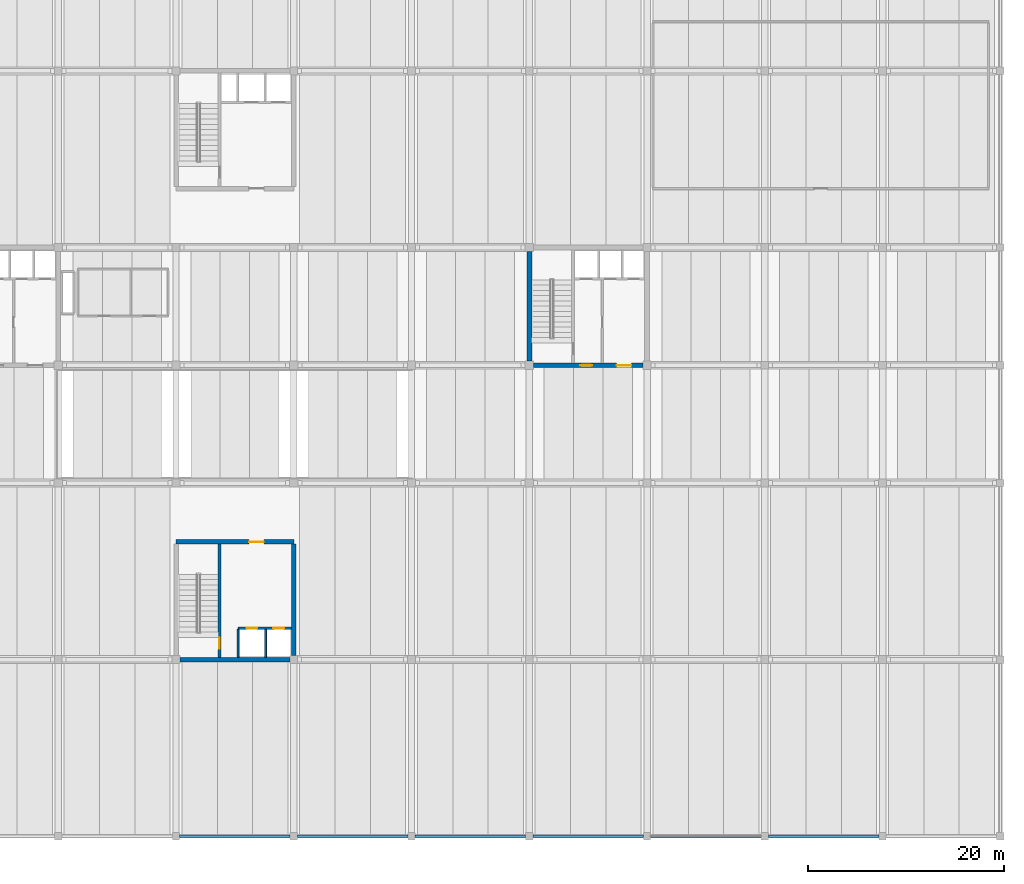
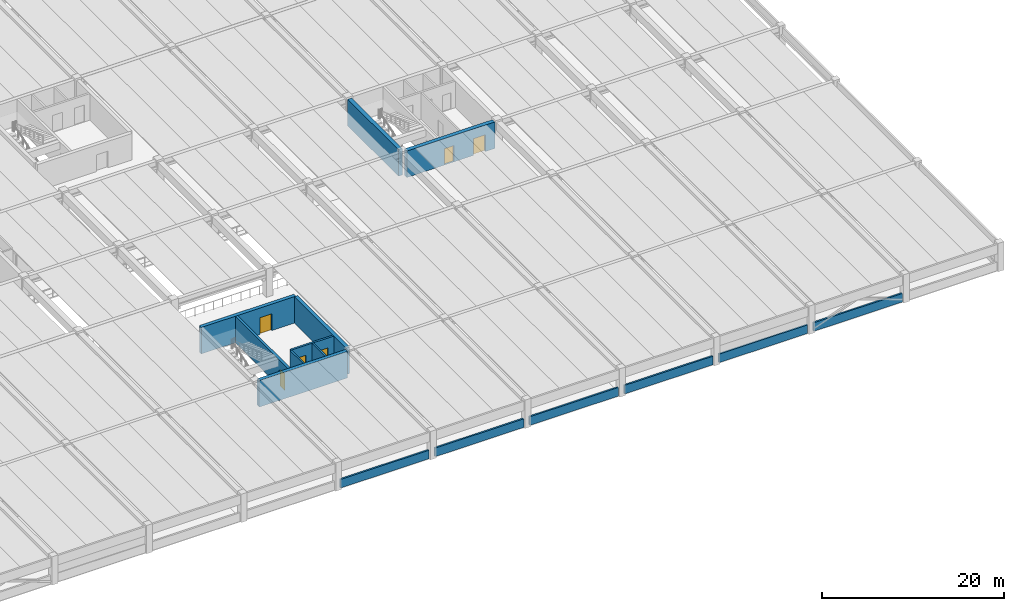
# One storey, part 8 of 16: 15 walls, 6 doors, 6 openings.
"""IFC4 building model written with IfcOpenShell, lengths in metres."""

from ifc_helpers import new_model, si_unit, direction, frame, frame_2d, origin, place, context, subcontext, project, spatial, rectangle, extrude, material, layer, layer_set, type_object, element, fill, save


model = new_model("IFC4")

# Units and contexts
model_context = context("Model", 3, precision=1e-05, world=origin(), true_north=direction((0.0, 1.0)))
body_context = subcontext(model_context, "Body", "Model", "MODEL_VIEW")
ifc_project = project(units=[si_unit("LENGTHUNIT", "METRE"), si_unit("AREAUNIT", "SQUARE_METRE"), si_unit("VOLUMEUNIT", "CUBIC_METRE"), si_unit("PLANEANGLEUNIT", "RADIAN"), si_unit("MASSUNIT", "GRAM", prefix="KILO")], contexts=[model_context])

# Site, building, storey
site_placement = place(None, origin())
site = spatial("IfcSite", under=ifc_project, at=site_placement, CompositionType="ELEMENT")
building_placement = place(site_placement, origin())
building = spatial("IfcBuilding", under=site, at=building_placement, Name="Girod Span Mobility Hub", CompositionType="ELEMENT")
storey_placement = place(building_placement, frame((0.0, 0.0, 28.60009765625)))
storey = spatial("IfcBuildingStorey", under=building, at=storey_placement, Name="L07", CompositionType="ELEMENT", Elevation=28.60009765625)

# Wall
ifc_material_1 = material(Name="Concrete C40/50", Category="concrete")
ifc_layer_1 = layer(ifc_material_1, 0.449951171875)
ifc_layer_set_1 = layer_set([ifc_layer_1], Name="Concrete C40/50")
wall_type_1 = type_object("IfcWallType", Name="W-CW-450", PredefinedType="SHEAR", material=ifc_layer_set_1)
wall_1_placement = place(storey_placement, frame((72.39697265625, 27.0, 0.0), z_axis=(0.0, 0.0, 1.0), x_axis=(1.0, 0.0, 0.0)))
element("IfcWall", 1, at=wall_1_placement, inside=storey, type_object=wall_type_1, Name="Core C3 Shear Wall S L07", PredefinedType="SHEAR", context=body_context, shape_type="SweptSolid", body=[
    extrude(rectangle(XDim=11.2060546875, YDim=0.449951171875, at=frame_2d((5.60302734375, 0.0))), origin(), (0.0, 0.0, 1.0), 3.552978515625),
])

# Wall, opening, door
wall_2_placement = place(storey_placement, frame((72.0, 39.0, 0.0), z_axis=(0.0, 0.0, 1.0), x_axis=(1.0, 0.0, 0.0)))
wall_2 = element("IfcWall", 2, at=wall_2_placement, inside=storey, type_object=wall_type_1, Name="Core C3 Shear Wall N L07", PredefinedType="SHEAR", context=body_context, shape_type="SweptSolid", body=[
    extrude(rectangle(XDim=12.0, YDim=0.449951171875, at=frame_2d((6.0, 0.0))), origin(), (0.0, 0.0, 1.0), 3.552978515625),
])
opening_1_placement = place(wall_2_placement, frame((7.449951171875, 0.0, 0.0)))
opening_1 = element("IfcOpeningElement", 3, at=opening_1_placement, cuts=wall_2, Name="Opening D-LB-C3-L07", PredefinedType="OPENING", context=body_context, shape_type="SweptSolid", body=[
    extrude(rectangle(XDim=1.5, YDim=2.25, at=frame_2d((0.75, 1.125))), frame((0.0, 0.239990234375, 0.0), z_axis=(0.0, -1.0, 0.0), x_axis=(1.0, 0.0, 0.0)), (0.0, 0.0, 1.0), 0.47998046875),
])
ifc_material_2 = material(Name="Fire-Rated Insulated Hollow Metal Steel", Category="steel")
door_type_1 = type_object("IfcDoorType", Name="DT-FD-03", OperationType="DOUBLE_DOOR_SINGLE_SWING", PredefinedType="DOOR", material=ifc_material_2)
door_1_placement = place(opening_1_placement, origin())
door_1 = element("IfcDoor", 4, at=door_1_placement, inside=storey, type_object=door_type_1, Name="Core C3 Lobby Door L07", OperationType="DOUBLE_DOOR_SINGLE_SWING", OverallHeight=2.25, OverallWidth=1.5, PredefinedType="DOOR", context=body_context, shape_type="SweptSolid", body=[
    extrude(rectangle(XDim=1.5, YDim=2.25, at=frame_2d((0.75, 1.125))), frame((0.0, 0.02490234375, 0.0), z_axis=(0.0, -1.0, 0.0), x_axis=(1.0, 0.0, 0.0)), (0.0, 0.0, 1.0), 0.050048828125),
])
fill(opening_1, door_1)

# Wall
wall_3_placement = place(storey_placement, frame((84.0, 27.39697265625, 0.0), z_axis=(0.0, 0.0, 1.0), x_axis=(0.0, 1.0, 0.0)))
element("IfcWall", 5, at=wall_3_placement, inside=storey, type_object=wall_type_1, Name="Core C3 Shear Wall E L07", PredefinedType="SHEAR", context=body_context, shape_type="SweptSolid", body=[
    extrude(rectangle(XDim=11.381103515625, YDim=0.449951171875, at=frame_2d((5.6904296875, 0.0))), origin(), (0.0, 0.0, 1.0), 3.552978515625),
])

# Wall, openings, doors
ifc_material_3 = material(Name="Concrete C40/50", Category="concrete")
ifc_layer_2 = layer(ifc_material_3, 0.5)
ifc_layer_set_2 = layer_set([ifc_layer_2], Name="Concrete C40/50")
wall_type_2 = type_object("IfcWallType", Name="W-CW-500", PredefinedType="SHEAR", material=ifc_layer_set_2)
wall_4_placement = place(storey_placement, frame((108.422119140625, 57.0, 0.0), z_axis=(0.0, 0.0, 1.0), x_axis=(1.0, 0.0, 0.0)))
wall_4 = element("IfcWall", 6, at=wall_4_placement, inside=storey, type_object=wall_type_2, Name="Core C2 Shear Wall S L07", PredefinedType="SHEAR", context=body_context, shape_type="SweptSolid", body=[
    extrude(rectangle(XDim=11.15576171875, YDim=0.5, at=frame_2d((5.577880859375, 0.0))), origin(), (0.0, 0.0, 1.0), 3.552978515625),
])
opening_2_placement = place(wall_4_placement, frame((4.778076171875, 0.0, 0.0)))
opening_2 = element("IfcOpeningElement", 7, at=opening_2_placement, cuts=wall_4, Name="Opening D-FL-C2-L07", PredefinedType="OPENING", context=body_context, shape_type="SweptSolid", body=[
    extrude(rectangle(XDim=1.199951171875, YDim=2.199951171875, at=frame_2d((0.60009765625, 1.10009765625))), frame((0.0, 0.264892578125, 0.0), z_axis=(0.0, -1.0, 0.0), x_axis=(1.0, 0.0, 0.0)), (0.0, 0.0, 1.0), 0.530029296875),
])
opening_3_placement = place(wall_4_placement, frame((8.47802734375, 0.0, 0.0)))
opening_3 = element("IfcOpeningElement", 8, at=opening_3_placement, cuts=wall_4, Name="Opening D-LB-C2-L07", PredefinedType="OPENING", context=body_context, shape_type="SweptSolid", body=[
    extrude(rectangle(XDim=1.5, YDim=2.25, at=frame_2d((0.75, 1.125))), frame((0.0, 0.264892578125, 0.0), z_axis=(0.0, -1.0, 0.0), x_axis=(1.0, 0.0, 0.0)), (0.0, 0.0, 1.0), 0.530029296875),
])
door_2_placement = place(opening_3_placement, origin())
door_2 = element("IfcDoor", 9, at=door_2_placement, inside=storey, type_object=door_type_1, Name="Lift Lobby Entry Door C2 L07", OperationType="DOUBLE_DOOR_SINGLE_SWING", OverallHeight=2.25, OverallWidth=1.5, PredefinedType="DOOR", context=body_context, shape_type="SweptSolid", body=[
    extrude(rectangle(XDim=1.5, YDim=2.25, at=frame_2d((0.75, 1.125))), frame((0.0, 0.02490234375, 0.0), z_axis=(0.0, -1.0, 0.0), x_axis=(1.0, 0.0, 0.0)), (0.0, 0.0, 1.0), 0.050048828125),
])
fill(opening_3, door_2)
ifc_material_4 = material(Name="Fire-Rated Insulated Hollow Metal Steel", Category="steel")
door_type_2 = type_object("IfcDoorType", Name="DT-FD-05", OperationType="NOTDEFINED", PredefinedType="DOOR", material=ifc_material_4)
door_3_placement = place(opening_2_placement, origin())
door_3 = element("IfcDoor", 10, at=door_3_placement, inside=storey, type_object=door_type_2, Name="Firefighting Lobby Entry Door C2 L07", OperationType="SINGLE_SWING_RIGHT", OverallHeight=2.199951171875, OverallWidth=1.199951171875, PredefinedType="DOOR", context=body_context, shape_type="SweptSolid", body=[
    extrude(rectangle(XDim=1.199951171875, YDim=2.199951171875, at=frame_2d((0.60009765625, 1.10009765625))), frame((0.0, 0.02490234375, 0.0), z_axis=(0.0, -1.0, 0.0), x_axis=(1.0, 0.0, 0.0)), (0.0, 0.0, 1.0), 0.050048828125),
])
fill(opening_2, door_3)

# Walls
wall_5_placement = place(storey_placement, frame((108.0, 57.422119140625, 0.0), z_axis=(0.0, 0.0, 1.0), x_axis=(0.0, 1.0, 0.0)))
element("IfcWall", 11, at=wall_5_placement, inside=storey, type_object=wall_type_2, Name="Core C2 Shear Wall W L07", PredefinedType="SHEAR", context=body_context, shape_type="SweptSolid", body=[
    extrude(rectangle(XDim=11.15576171875, YDim=0.5, at=frame_2d((5.577880859375, 0.0))), origin(), (0.0, 0.0, 1.0), 3.552978515625),
])
ifc_material_5 = material(Name="Precast Architectural Concrete C40/50", Category="concrete")
ifc_layer_3 = layer(ifc_material_5, 0.215087890625)
ifc_layer_set_3 = layer_set([ifc_layer_3], Name="Precast Architectural Concrete C40/50")
wall_type_3 = type_object("IfcWallType", Name="W-PAR-215", PredefinedType="PARAPET", material=ifc_layer_set_3)
for number, where, z_axis, x_axis, name in (
    (12, (72.373046875, 9.0, 0.0), (0.0, 0.0, 1.0), (1.0, 0.0, 0.0), "Precast Parking Barrier Parapet S-7 L07"),
    (13, (84.373046875, 9.0, 0.0), (0.0, 0.0, 1.0), (1.0, 0.0, 0.0), "Precast Parking Barrier Parapet S-8 L07"),
    (14, (96.373046875, 9.0, 0.0), (0.0, 0.0, 1.0), (1.0, 0.0, 0.0), "Precast Parking Barrier Parapet S-9 L07"),
    (15, (108.373046875, 9.0, 0.0), (0.0, 0.0, 1.0), (1.0, 0.0, 0.0), "Precast Parking Barrier Parapet S-10 L07"),
    (16, (120.373046875, 9.0, 0.0), (0.0, 0.0, 1.0), (1.0, 0.0, 0.0), "Precast Parking Barrier Parapet S-11 L07"),
    (17, (132.373046875, 9.0, 0.0), (0.0, 0.0, 1.0), (1.0, 0.0, 0.0), "Precast Parking Barrier Parapet S-12 L07"),
):
    element("IfcWall", number, at=place(storey_placement, frame(where, z_axis=z_axis, x_axis=x_axis)), inside=storey, type_object=wall_type_3, Name=name, PredefinedType="PARAPET", context=body_context, shape_type="SweptSolid", body=[
        extrude(rectangle(XDim=11.25390625, YDim=0.215087890625, at=frame_2d((5.626953125, 0.0))), origin(), (0.0, 0.0, 1.0), 1.14990234375),
    ])
ifc_material_6 = material(Name="Concrete C40/50", Category="concrete")
ifc_layer_4 = layer(ifc_material_6, 0.199951171875)
ifc_layer_set_4 = layer_set([ifc_layer_4], Name="Concrete C40/50")
wall_type_4 = type_object("IfcWallType", Name="W-SH-200", PredefinedType="SOLIDWALL", material=ifc_layer_set_4)
for number, where, z_axis, x_axis, name in (
    (18, (78.320068359375, 27.22509765625, 0.0), (0.0, 0.0, 1.0), (0.0, 1.0, 0.0), "Core C3 Shaft Divider 1 L07"),
    (19, (81.1201171875, 27.22509765625, 0.0), (0.0, 0.0, 1.0), (0.0, 1.0, 0.0), "Core C3 Shaft Divider 2 L07"),
):
    element("IfcWall", number, at=place(storey_placement, frame(where, z_axis=z_axis, x_axis=x_axis)), inside=storey, type_object=wall_type_4, Name=name, PredefinedType="SOLIDWALL", context=body_context, shape_type="SweptSolid", body=[
        extrude(rectangle(XDim=2.85498046875, YDim=0.199951171875, at=frame_2d((1.427490234375, 0.0))), origin(), (0.0, 0.0, 1.0), 3.54296875),
    ])

# Wall, openings, doors
ifc_material_7 = material(Name="Concrete C40/50", Category="concrete")
ifc_layer_5 = layer(ifc_material_7, 0.25)
ifc_layer_set_5 = layer_set([ifc_layer_5], Name="Concrete C40/50")
wall_type_5 = type_object("IfcWallType", Name="W-SH-250", PredefinedType="SOLIDWALL", material=ifc_layer_set_5)
wall_6_placement = place(storey_placement, frame((78.320068359375, 30.199951171875, 0.0), z_axis=(0.0, 0.0, 1.0), x_axis=(1.0, 0.0, 0.0)))
wall_6 = element("IfcWall", 20, at=wall_6_placement, inside=storey, type_object=wall_type_5, Name="Core C3 Hoistway Front Wall L07", PredefinedType="SOLIDWALL", context=body_context, shape_type="SweptSolid", body=[
    extrude(rectangle(XDim=5.4580078125, YDim=0.25, at=frame_2d((2.72900390625, 0.0))), origin(), (0.0, 0.0, 1.0), 3.552978515625),
])
opening_4_placement = place(wall_6_placement, frame((0.860107421875, 0.0, 0.0)))
opening_4 = element("IfcOpeningElement", 21, at=opening_4_placement, cuts=wall_6, Name="Opening LD-LP-5-L07", PredefinedType="OPENING", context=body_context, shape_type="SweptSolid", body=[
    extrude(rectangle(XDim=1.080078125, YDim=2.219970703125, at=frame_2d((0.5400390625, 1.10986328125))), frame((0.0, 0.139892578125, 0.0), z_axis=(0.0, -1.0, 0.0), x_axis=(1.0, 0.0, 0.0)), (0.0, 0.0, 1.0), 0.280029296875),
])
opening_5_placement = place(wall_6_placement, frame((3.610107421875, 0.0, 0.0)))
opening_5 = element("IfcOpeningElement", 22, at=opening_5_placement, cuts=wall_6, Name="Opening LD-LP-6-L07", PredefinedType="OPENING", context=body_context, shape_type="SweptSolid", body=[
    extrude(rectangle(XDim=1.080078125, YDim=2.219970703125, at=frame_2d((0.5400390625, 1.10986328125))), frame((0.0, 0.139892578125, 0.0), z_axis=(0.0, -1.0, 0.0), x_axis=(1.0, 0.0, 0.0)), (0.0, 0.0, 1.0), 0.280029296875),
])
ifc_material_8 = material(Name="Brushed Stainless Steel Grade 304", Category="steel")
door_type_3 = type_object("IfcDoorType", Name="LD-LP-108", OperationType="SLIDING_TO_LEFT", PredefinedType="USERDEFINED", material=ifc_material_8)
door_4_placement = place(opening_4_placement, origin())
door_4 = element("IfcDoor", 23, at=door_4_placement, inside=storey, type_object=door_type_3, Name="Lift LP-5 Sliding Landing Door L07", ObjectType="LANDING DOOR", OperationType="SLIDING_TO_LEFT", OverallHeight=2.219970703125, OverallWidth=1.080078125, PredefinedType="USERDEFINED", context=body_context, shape_type="SweptSolid", body=[
    extrude(rectangle(XDim=1.080078125, YDim=2.219970703125, at=frame_2d((0.5400390625, 1.10986328125))), frame((0.0, 0.02490234375, 0.0), z_axis=(0.0, -1.0, 0.0), x_axis=(1.0, 0.0, 0.0)), (0.0, 0.0, 1.0), 0.050048828125),
])
fill(opening_4, door_4)
door_5_placement = place(opening_5_placement, origin())
door_5 = element("IfcDoor", 24, at=door_5_placement, inside=storey, type_object=door_type_3, Name="Lift LP-6 Sliding Landing Door L07", ObjectType="LANDING DOOR", OperationType="SLIDING_TO_LEFT", OverallHeight=2.219970703125, OverallWidth=1.080078125, PredefinedType="USERDEFINED", context=body_context, shape_type="SweptSolid", body=[
    extrude(rectangle(XDim=1.080078125, YDim=2.219970703125, at=frame_2d((0.5400390625, 1.10986328125))), frame((0.0, 0.02490234375, 0.0), z_axis=(0.0, -1.0, 0.0), x_axis=(1.0, 0.0, 0.0)), (0.0, 0.0, 1.0), 0.050048828125),
])
fill(opening_5, door_5)

# Wall, opening, door
ifc_material_9 = material(Name="Concrete C40/50", Category="concrete")
ifc_layer_6 = layer(ifc_material_9, 0.300048828125)
ifc_layer_set_6 = layer_set([ifc_layer_6], Name="Concrete C40/50")
wall_type_6 = type_object("IfcWallType", Name="W-SH-300", PredefinedType="SHEAR", material=ifc_layer_set_6)
wall_7_placement = place(storey_placement, frame((76.449951171875, 27.221923828125, 0.0), z_axis=(0.0, 0.0, 1.0), x_axis=(0.0, 1.0, 0.0)))
wall_7 = element("IfcWall", 25, at=wall_7_placement, inside=storey, type_object=wall_type_6, Name="Core C3 Stairwell Spine Wall L07", PredefinedType="SHEAR", context=body_context, shape_type="SweptSolid", body=[
    extrude(rectangle(XDim=11.55615234375, YDim=0.300048828125, at=frame_2d((5.778076171875, 0.0))), origin(), (0.0, 0.0, 1.0), 3.552978515625),
])
opening_6_placement = place(wall_7_placement, frame((0.89990234375, 0.0, 0.0)))
opening_6 = element("IfcOpeningElement", 26, at=opening_6_placement, cuts=wall_7, Name="Opening D-ST-3-L07", PredefinedType="OPENING", context=body_context, shape_type="SweptSolid", body=[
    extrude(rectangle(XDim=1.10009765625, YDim=2.199951171875, at=frame_2d((0.550048828125, 1.10009765625))), frame((0.0, 0.1650390625, 0.0), z_axis=(0.0, -1.0, 0.0), x_axis=(1.0, 0.0, 0.0)), (0.0, 0.0, 1.0), 0.330078125),
])
ifc_material_10 = material(Name="Fire-Rated Insulated Hollow Metal Steel", Category="steel")
door_type_4 = type_object("IfcDoorType", Name="DT-FD-01", OperationType="NOTDEFINED", PredefinedType="DOOR", material=ifc_material_10)
door_6_placement = place(opening_6_placement, origin())
door_6 = element("IfcDoor", 27, at=door_6_placement, inside=storey, type_object=door_type_4, Name="Stair ST-3 Fire Door L07", OperationType="SINGLE_SWING_LEFT", OverallHeight=2.199951171875, OverallWidth=1.10009765625, PredefinedType="DOOR", context=body_context, shape_type="SweptSolid", body=[
    extrude(rectangle(XDim=1.10009765625, YDim=2.199951171875, at=frame_2d((0.550048828125, 1.10009765625))), frame((0.0, 0.02490234375, 0.0), z_axis=(0.0, -1.0, 0.0), x_axis=(1.0, 0.0, 0.0)), (0.0, 0.0, 1.0), 0.050048828125),
])
fill(opening_6, door_6)

save(model, "model.ifc")
